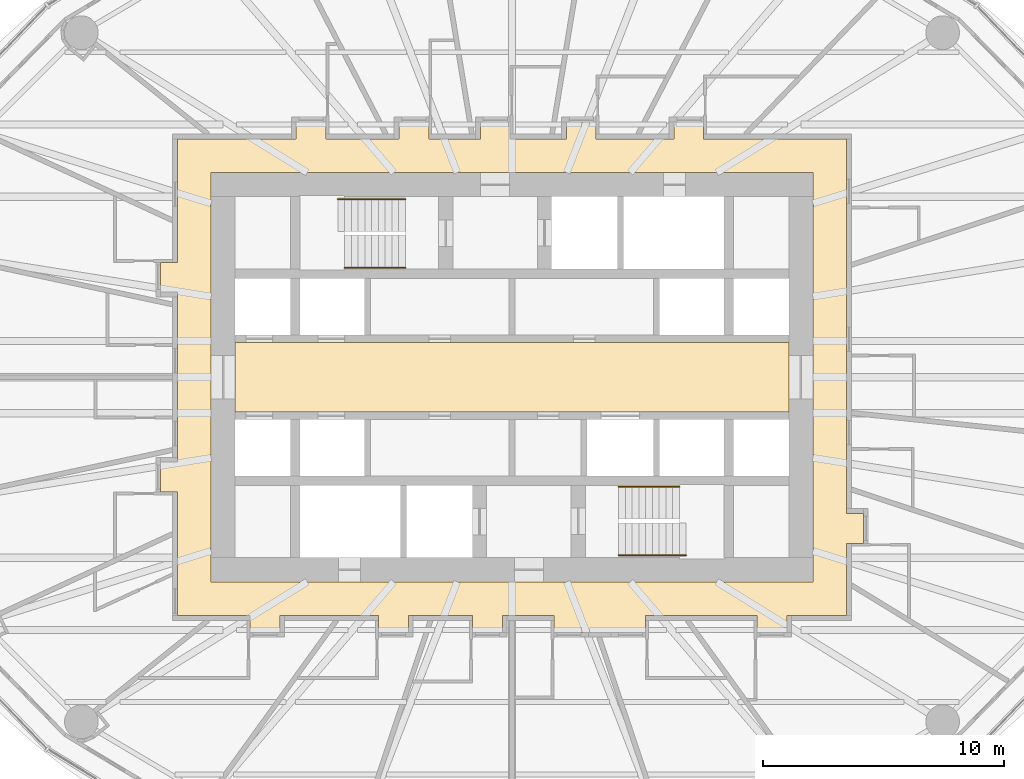
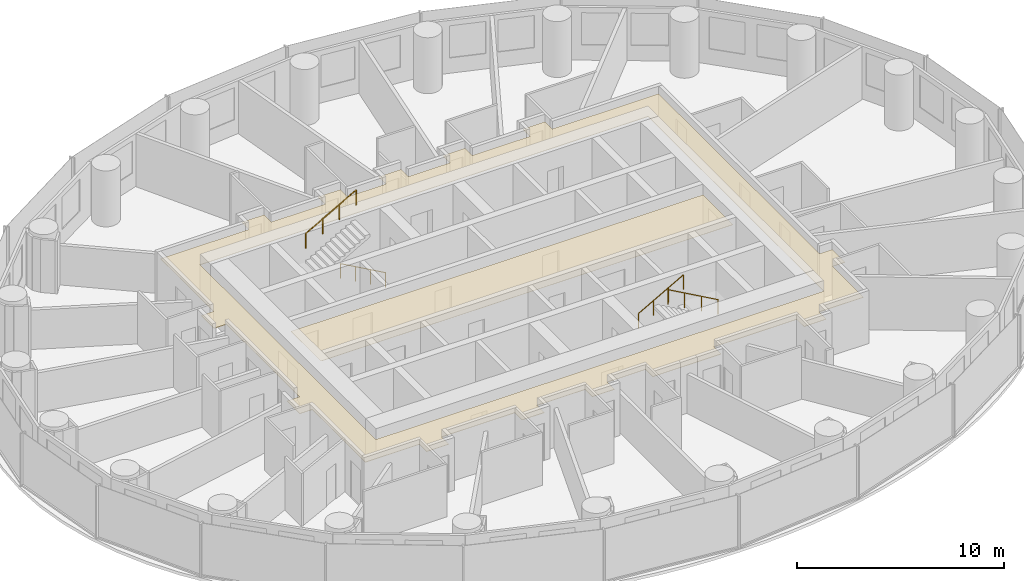
# One storey, part 14 of 14: 4 railings, 2 coverings.
"""IFC4 building model written with IfcOpenShell, lengths in metres."""

from ifc_helpers import new_model, si_unit, direction, frame, origin, origin_2d, place, context, subcontext, project, spatial, polyline, circle, outline, extrude, material, layer, layer_set, type_object, element, save


model = new_model("IFC4")

# Units and contexts
model_context = context("Model", 3, precision=1e-05, world=origin(), true_north=direction((0.0, 1.0)))
body_context = subcontext(model_context, "Body", "Model", "MODEL_VIEW")
ifc_project = project(units=[si_unit("LENGTHUNIT", "METRE"), si_unit("AREAUNIT", "SQUARE_METRE"), si_unit("VOLUMEUNIT", "CUBIC_METRE"), si_unit("PLANEANGLEUNIT", "RADIAN"), si_unit("MASSUNIT", "GRAM", prefix="KILO")], contexts=[model_context])

# Site, building, storey
site_placement = place(None, origin())
site = spatial("IfcSite", under=ifc_project, at=site_placement, CompositionType="ELEMENT")
building_placement = place(site_placement, origin())
building = spatial("IfcBuilding", under=site, at=building_placement, Name="Hankou Lantern Tower", CompositionType="ELEMENT")
storey_placement = place(building_placement, frame((0.0, 0.0, 54.0)))
storey = spatial("IfcBuildingStorey", under=building, at=storey_placement, Name="L12", CompositionType="ELEMENT", Elevation=54.0)

# Coverings
ifc_material_1 = material(Name="Black painted aluminium linear ceiling panels", Category="aluminium")
ifc_layer_1 = layer(ifc_material_1, 0.02490234375)
ifc_layer_set_1 = layer_set([ifc_layer_1], Name="Black painted aluminium linear ceiling panels")
covering_type_1 = type_object("IfcCoveringType", Name="CL1 CORRIDOR CEILING 25", PredefinedType="CEILING", material=ifc_layer_set_1)
covering_1_placement = place(storey_placement, frame((0.0, 0.0, 2.64501953125)))
element("IfcCovering", 1, at=covering_1_placement, inside=storey, type_object=covering_type_1, Name="Corridor ceiling L12", PredefinedType="CEILING", context=body_context, shape_type="SweptSolid", body=[
    extrude(outline(polyline([(-10.885009765625, -10.60009765625), (-9.64501953125, -10.60009765625), (-9.64501953125, -9.89990234375), (-5.549072265625, -9.89990234375), (-5.549072265625, -10.60009765625), (-4.30908203125, -10.60009765625), (-4.30908203125, -9.89990234375), (-1.642822265625, -9.89990234375), (-1.642822265625, -10.60009765625), (-0.40283203125, -10.60009765625), (-0.40283203125, -9.89990234375), (1.739990234375, -9.89990234375), (1.739990234375, -10.60009765625), (5.549072265625, -10.60009765625), (5.549072265625, -9.89990234375), (10.178955078125, -9.89990234375), (10.178955078125, -10.60009765625), (11.4189453125, -10.60009765625), (11.4189453125, -9.89990234375), (13.89990234375, -9.89990234375), (13.89990234375, -6.89892578125), (14.60009765625, -6.89892578125), (14.60009765625, -5.658935546875), (13.89990234375, -5.658935546875), (13.89990234375, 9.89990234375), (7.965087890625, 9.89990234375), (7.965087890625, 10.60009765625), (6.72509765625, 10.60009765625), (6.72509765625, 9.89990234375), (3.49853515625, 9.89990234375), (3.49853515625, 10.60009765625), (2.258544921875, 10.60009765625), (2.258544921875, 9.89990234375), (-0.074951171875, 9.89990234375), (-0.074951171875, 10.60009765625), (-1.31494140625, 10.60009765625), (-1.31494140625, 9.89990234375), (-3.455078125, 9.89990234375), (-3.455078125, 10.60009765625), (-4.695068359375, 10.60009765625), (-4.695068359375, 9.89990234375), (-7.728515625, 9.89990234375), (-7.728515625, 10.60009765625), (-8.968505859375, 10.60009765625), (-8.968505859375, 9.89990234375), (-13.89990234375, 9.89990234375), (-13.89990234375, 4.7724609375), (-14.60009765625, 4.7724609375), (-14.60009765625, 3.532470703125), (-13.89990234375, 3.532470703125), (-13.89990234375, -3.532470703125), (-14.60009765625, -3.532470703125), (-14.60009765625, -4.7724609375), (-13.89990234375, -4.7724609375), (-13.89990234375, -9.89990234375), (-10.885009765625, -9.89990234375), (-10.885009765625, -10.60009765625)]), holes=[polyline([(-12.5, 8.5), (12.5, 8.5), (12.5, -8.5), (-12.5, -8.5), (-12.5, 8.5)])]), origin(), (0.0, 0.0, 1.0), 0.02490234375),
])
ifc_material_2 = material(Name="Perforated black aluminium acoustic tray ceiling", Category="aluminium")
ifc_layer_2 = layer(ifc_material_2, 0.014892578125)
ifc_layer_set_2 = layer_set([ifc_layer_2], Name="Perforated black aluminium acoustic tray ceiling")
covering_type_2 = type_object("IfcCoveringType", Name="CL2 LIFT LOBBY CEILING 15", PredefinedType="CEILING", material=ifc_layer_set_2)
covering_2_placement = place(storey_placement, frame((0.0, 0.0, 2.655029296875)))
element("IfcCovering", 2, at=covering_2_placement, inside=storey, type_object=covering_type_2, Name="Lift lobby ceiling L12", PredefinedType="CEILING", context=body_context, shape_type="SweptSolid", body=[
    extrude(outline(polyline([(-11.5, -1.449951171875), (11.5, -1.449951171875), (11.5, 1.449951171875), (-11.5, 1.449951171875), (-11.5, -1.449951171875)])), origin(), (0.0, 0.0, 1.0), 0.014892578125),
])

# Railings
ifc_material_3 = material(Name="Steel handrail", Category="steel")
railing_type = type_object("IfcRailingType", Name="HR1 STAIR HANDRAIL", PredefinedType="HANDRAIL", material=ifc_material_3)
railing_1_placement = place(storey_placement, frame((-4.429931640625, 4.550048828125, 0.89990234375)))
element("IfcRailing", 3, at=railing_1_placement, inside=storey, type_object=railing_type, Name="Handrail stair STA L12 flight 1", PredefinedType="HANDRAIL", context=body_context, shape_type="SweptSolid", body=[
    extrude(circle(Radius=0.02392578125, at=origin_2d()), frame((0.0, 0.0, 0.8759765625), z_axis=(-0.872048945198, 0.0, 0.489418672692), x_axis=(0.0, -1.0, 0.0)), (0.0, 0.0, 1.0), 2.8896484375),
    extrude(circle(Radius=0.02099609375, at=origin_2d()), origin(), (0.0, 0.0, 1.0), 0.851806640625),
    extrude(circle(Radius=0.02099609375, at=origin_2d()), frame((-0.840087890625, 0.0, 0.471435546875)), (0.0, 0.0, 1.0), 0.851806640625),
    extrude(circle(Radius=0.02099609375, at=origin_2d()), frame((-1.679931640625, 0.0, 0.94287109375)), (0.0, 0.0, 1.0), 0.851806640625),
    extrude(circle(Radius=0.02099609375, at=origin_2d()), frame((-2.52001953125, 0.0, 1.414306640625)), (0.0, 0.0, 1.0), 0.851806640625),
])
railing_2_placement = place(storey_placement, frame((-7.22998046875, 7.39990234375, 2.471435546875)))
element("IfcRailing", 4, at=railing_2_placement, inside=storey, type_object=railing_type, Name="Handrail stair STA L12 flight 2", PredefinedType="HANDRAIL", context=body_context, shape_type="SweptSolid", body=[
    extrude(circle(Radius=0.02392578125, at=origin_2d()), frame((0.0, 0.0, 0.8759765625), z_axis=(0.872040151574, 0.0, 0.489434340891), x_axis=(0.0, 1.0, 0.0)), (0.0, 0.0, 1.0), 3.2109375),
    extrude(circle(Radius=0.02099609375, at=origin_2d()), origin(), (0.0, 0.0, 1.0), 0.851806640625),
    extrude(circle(Radius=0.02099609375, at=origin_2d()), frame((0.933349609375, 0.0, 0.52392578125)), (0.0, 0.0, 1.0), 0.851806640625),
    extrude(circle(Radius=0.02099609375, at=origin_2d()), frame((1.86669921875, 0.0, 1.047607421875)), (0.0, 0.0, 1.0), 0.851806640625),
    extrude(circle(Radius=0.02099609375, at=origin_2d()), frame((2.800048828125, 0.0, 1.571533203125)), (0.0, 0.0, 1.0), 0.851806640625),
])
railing_3_placement = place(storey_placement, frame((4.429931640625, -4.550048828125, 0.89990234375)))
element("IfcRailing", 5, at=railing_3_placement, inside=storey, type_object=railing_type, Name="Handrail stair STB L12 flight 1", PredefinedType="HANDRAIL", context=body_context, shape_type="SweptSolid", body=[
    extrude(circle(Radius=0.02392578125, at=origin_2d()), frame((0.0, 0.0, 0.8759765625), z_axis=(0.872048945198, 0.0, 0.489418672692), x_axis=(0.0, 1.0, 0.0)), (0.0, 0.0, 1.0), 2.8896484375),
    extrude(circle(Radius=0.02099609375, at=origin_2d()), origin(), (0.0, 0.0, 1.0), 0.851806640625),
    extrude(circle(Radius=0.02099609375, at=origin_2d()), frame((0.840087890625, 0.0, 0.471435546875)), (0.0, 0.0, 1.0), 0.851806640625),
    extrude(circle(Radius=0.02099609375, at=origin_2d()), frame((1.679931640625, 0.0, 0.94287109375)), (0.0, 0.0, 1.0), 0.851806640625),
    extrude(circle(Radius=0.02099609375, at=origin_2d()), frame((2.52001953125, 0.0, 1.414306640625)), (0.0, 0.0, 1.0), 0.851806640625),
])
railing_4_placement = place(storey_placement, frame((7.22998046875, -7.39990234375, 2.471435546875)))
element("IfcRailing", 6, at=railing_4_placement, inside=storey, type_object=railing_type, Name="Handrail stair STB L12 flight 2", PredefinedType="HANDRAIL", context=body_context, shape_type="SweptSolid", body=[
    extrude(circle(Radius=0.02392578125, at=origin_2d()), frame((0.0, 0.0, 0.8759765625), z_axis=(-0.872040151574, 0.0, 0.489434340891), x_axis=(0.0, -1.0, 0.0)), (0.0, 0.0, 1.0), 3.2109375),
    extrude(circle(Radius=0.02099609375, at=origin_2d()), origin(), (0.0, 0.0, 1.0), 0.851806640625),
    extrude(circle(Radius=0.02099609375, at=origin_2d()), frame((-0.933349609375, 0.0, 0.52392578125)), (0.0, 0.0, 1.0), 0.851806640625),
    extrude(circle(Radius=0.02099609375, at=origin_2d()), frame((-1.86669921875, 0.0, 1.047607421875)), (0.0, 0.0, 1.0), 0.851806640625),
    extrude(circle(Radius=0.02099609375, at=origin_2d()), frame((-2.800048828125, 0.0, 1.571533203125)), (0.0, 0.0, 1.0), 0.851806640625),
])

save(model, "model.ifc")
